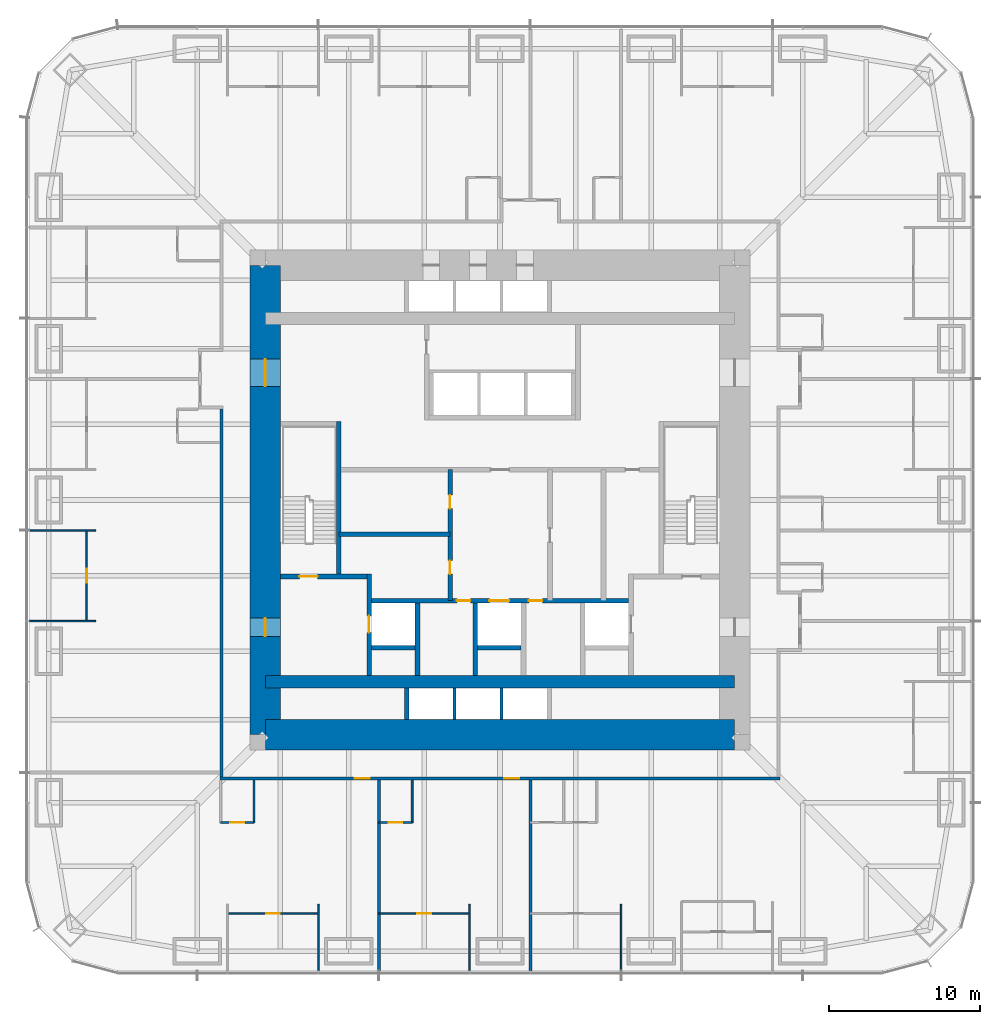
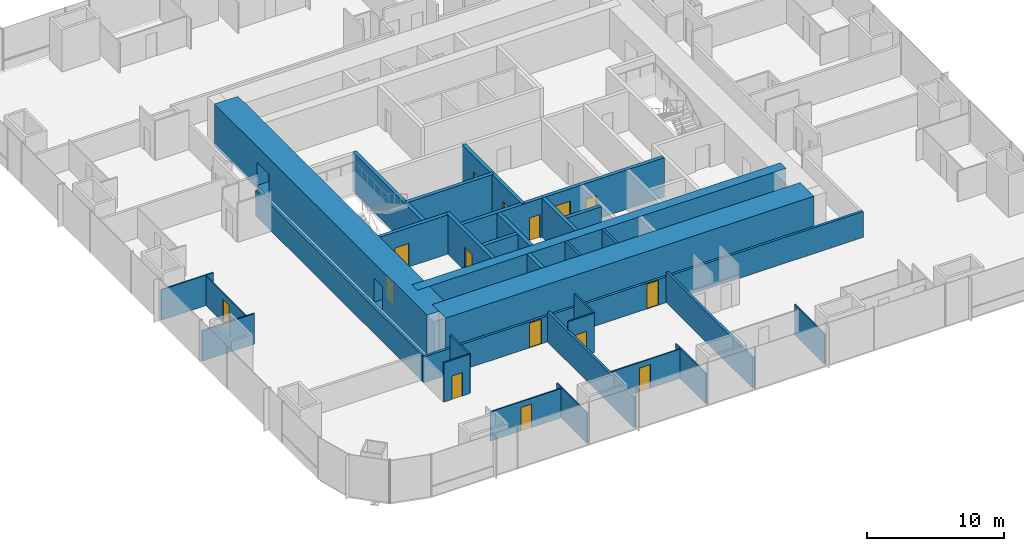
# One storey, part 12 of 16: 32 walls, 16 doors, 16 openings.
"""IFC4 building model written with IfcOpenShell, lengths in metres."""

from ifc_helpers import new_model, si_unit, direction, frame, frame_2d, origin, place, context, subcontext, project, spatial, rectangle, extrude, material, layer, layer_set, type_object, element, fill, save


model = new_model("IFC4")

# Units and contexts
model_context = context("Model", 3, precision=1e-05, world=origin(), true_north=direction((0.0, 1.0)))
body_context = subcontext(model_context, "Body", "Model", "MODEL_VIEW")
ifc_project = project(units=[si_unit("LENGTHUNIT", "METRE"), si_unit("AREAUNIT", "SQUARE_METRE"), si_unit("VOLUMEUNIT", "CUBIC_METRE"), si_unit("PLANEANGLEUNIT", "RADIAN"), si_unit("MASSUNIT", "GRAM", prefix="KILO")], contexts=[model_context])

# Site, building, storey
site_placement = place(None, origin())
site = spatial("IfcSite", under=ifc_project, at=site_placement, CompositionType="ELEMENT")
building_placement = place(site_placement, origin())
building = spatial("IfcBuilding", under=site, at=building_placement, Name="Khuree Lantern Residences", CompositionType="ELEMENT")
storey_placement = place(building_placement, frame((0.0, 0.0, 81.0)))
storey = spatial("IfcBuildingStorey", under=building, at=storey_placement, Name="L20", CompositionType="ELEMENT", Elevation=81.0)

# Wall, opening, door
ifc_material_1 = material(Name="Moisture-resistant gypsum board on steel studs", Category="steel")
ifc_layer_1 = layer(ifc_material_1, 0.125)
ifc_layer_set_1 = layer_set([ifc_layer_1], Name="BATHROOM WALL BTW125")
wall_type_1 = type_object("IfcWallType", Name="BATHROOM WALL BTW125", PredefinedType="PARTITIONING", material=ifc_layer_set_1)
wall_1_placement = place(storey_placement, frame((-18.449951171875, -21.300048828125, 0.0), z_axis=(0.0, 0.0, 1.0), x_axis=(1.0, 0.0, 0.0)))
wall_1 = element("IfcWall", 1, at=wall_1_placement, inside=storey, type_object=wall_type_1, Name="L20 BATHROOM WALL 08", PredefinedType="PARTITIONING", context=body_context, shape_type="SweptSolid", body=[
    extrude(rectangle(XDim=2.199951171875, YDim=0.125, at=frame_2d((1.10009765625, 0.0))), origin(), (0.0, 0.0, 1.0), 3.5),
])
opening_1_placement = place(wall_1_placement, frame((0.64990234375, 0.0, 0.0)))
opening_1 = element("IfcOpeningElement", 2, at=opening_1_placement, cuts=wall_1, Name="Opening 20-044", PredefinedType="OPENING", context=body_context, shape_type="SweptSolid", body=[
    extrude(rectangle(XDim=0.89990234375, YDim=2.10009765625, at=frame_2d((0.449951171875, 1.050048828125))), frame((0.0, 0.072509765625, 0.0), z_axis=(0.0, -1.0, 0.0), x_axis=(1.0, 0.0, 0.0)), (0.0, 0.0, 1.0), 0.14501953125),
])
ifc_material_2 = material(Name="Timber door leaf in hardwood frame", Category="wood")
door_type_1 = type_object("IfcDoorType", Name="BATHROOM DOOR 900X2100", OperationType="SINGLE_SWING_LEFT", PredefinedType="DOOR", material=ifc_material_2)
door_1_placement = place(opening_1_placement, origin())
door_1 = element("IfcDoor", 3, at=door_1_placement, inside=storey, type_object=door_type_1, Name="Bathroom door 20-044", OperationType="SINGLE_SWING_LEFT", OverallHeight=2.10009765625, OverallWidth=0.89990234375, PredefinedType="DOOR", context=body_context, shape_type="SweptSolid", body=[
    extrude(rectangle(XDim=0.89990234375, YDim=2.10009765625, at=frame_2d((0.449951171875, 1.050048828125))), frame((0.0, 0.02490234375, 0.0), z_axis=(0.0, -1.0, 0.0), x_axis=(1.0, 0.0, 0.0)), (0.0, 0.0, 1.0), 0.050048828125),
])
fill(opening_1, door_1)

# Wall
wall_2_placement = place(storey_placement, frame((-16.25, -18.5, 0.0), z_axis=(0.0, 0.0, 1.0), x_axis=(0.0, -1.0, 0.0)))
element("IfcWall", 4, at=wall_2_placement, inside=storey, type_object=wall_type_1, Name="L20 BATHROOM WALL 08", PredefinedType="PARTITIONING", context=body_context, shape_type="SweptSolid", body=[
    extrude(rectangle(XDim=2.800048828125, YDim=0.125, at=frame_2d((1.39990234375, 0.0))), origin(), (0.0, 0.0, 1.0), 3.5),
])

# Wall, opening, door
wall_3_placement = place(storey_placement, frame((-8.0, -21.300048828125, 0.0), z_axis=(0.0, 0.0, 1.0), x_axis=(1.0, 0.0, 0.0)))
wall_3 = element("IfcWall", 5, at=wall_3_placement, inside=storey, type_object=wall_type_1, Name="L20 BATHROOM WALL 09", PredefinedType="PARTITIONING", context=body_context, shape_type="SweptSolid", body=[
    extrude(rectangle(XDim=2.199951171875, YDim=0.125, at=frame_2d((1.10009765625, 0.0))), origin(), (0.0, 0.0, 1.0), 3.5),
])
opening_2_placement = place(wall_3_placement, frame((0.64990234375, 0.0, 0.0)))
opening_2 = element("IfcOpeningElement", 6, at=opening_2_placement, cuts=wall_3, Name="Opening 20-047", PredefinedType="OPENING", context=body_context, shape_type="SweptSolid", body=[
    extrude(rectangle(XDim=0.89990234375, YDim=2.10009765625, at=frame_2d((0.449951171875, 1.050048828125))), frame((0.0, 0.072509765625, 0.0), z_axis=(0.0, -1.0, 0.0), x_axis=(1.0, 0.0, 0.0)), (0.0, 0.0, 1.0), 0.14501953125),
])
door_2_placement = place(opening_2_placement, origin())
door_2 = element("IfcDoor", 7, at=door_2_placement, inside=storey, type_object=door_type_1, Name="Bathroom door 20-047", OperationType="SINGLE_SWING_LEFT", OverallHeight=2.10009765625, OverallWidth=0.89990234375, PredefinedType="DOOR", context=body_context, shape_type="SweptSolid", body=[
    extrude(rectangle(XDim=0.89990234375, YDim=2.10009765625, at=frame_2d((0.449951171875, 1.050048828125))), frame((0.0, 0.02490234375, 0.0), z_axis=(0.0, -1.0, 0.0), x_axis=(1.0, 0.0, 0.0)), (0.0, 0.0, 1.0), 0.050048828125),
])
fill(opening_2, door_2)

# Wall
wall_4_placement = place(storey_placement, frame((-5.800048828125, -18.5, 0.0), z_axis=(0.0, 0.0, 1.0), x_axis=(0.0, -1.0, 0.0)))
element("IfcWall", 8, at=wall_4_placement, inside=storey, type_object=wall_type_1, Name="L20 BATHROOM WALL 09", PredefinedType="PARTITIONING", context=body_context, shape_type="SweptSolid", body=[
    extrude(rectangle(XDim=2.800048828125, YDim=0.125, at=frame_2d((1.39990234375, 0.0))), origin(), (0.0, 0.0, 1.0), 3.5),
])

# Wall, opening, door
ifc_material_3 = material(Name="Dense concrete blockwork", Category="masonry")
ifc_layer_2 = layer(ifc_material_3, 0.300048828125)
ifc_layer_set_2 = layer_set([ifc_layer_2], Name="CORE PARTITION WALL CPW300 EI 120")
wall_type_2 = type_object("IfcWallType", Name="CORE PARTITION WALL CPW300 EI 120", PredefinedType="PARTITIONING", material=ifc_layer_set_2)
wall_5_placement = place(storey_placement, frame((-8.64990234375, -11.60009765625, 0.0), z_axis=(0.0, 0.0, 1.0), x_axis=(0.0, 1.0, 0.0)))
wall_5 = element("IfcWall", 9, at=wall_5_placement, inside=storey, type_object=wall_type_2, Name="L20 CORE WALL FL1W", PredefinedType="PARTITIONING", context=body_context, shape_type="SweptSolid", body=[
    extrude(rectangle(XDim=6.7001953125, YDim=0.300048828125, at=frame_2d((3.35009765625, 0.0))), origin(), (0.0, 0.0, 1.0), 3.5),
])
opening_3_placement = place(wall_5_placement, frame((2.85009765625, 0.0, 0.0)))
opening_3 = element("IfcOpeningElement", 10, at=opening_3_placement, cuts=wall_5, Name="Opening 20-007", PredefinedType="OPENING", context=body_context, shape_type="SweptSolid", body=[
    extrude(rectangle(XDim=1.10009765625, YDim=2.10009765625, at=frame_2d((0.550048828125, 1.050048828125))), frame((0.0, 0.16015625, 0.0), z_axis=(0.0, -1.0, 0.0), x_axis=(1.0, 0.0, 0.0)), (0.0, 0.0, 1.0), 0.320068359375),
])
ifc_material_4 = material(Name="Stainless steel lift landing door", Category="steel")
door_type_2 = type_object("IfcDoorType", Name="LIFT LANDING DOOR 1100X2100 E 120", OperationType="DOUBLE_DOOR_SLIDING", PredefinedType="DOOR", material=ifc_material_4)
door_3_placement = place(opening_3_placement, origin())
door_3 = element("IfcDoor", 11, at=door_3_placement, inside=storey, type_object=door_type_2, Name="Landing door FL1 20-007", OperationType="DOUBLE_DOOR_SLIDING", OverallHeight=2.10009765625, OverallWidth=1.10009765625, PredefinedType="DOOR", context=body_context, shape_type="SweptSolid", body=[
    extrude(rectangle(XDim=1.10009765625, YDim=2.10009765625, at=frame_2d((0.550048828125, 1.050048828125))), frame((0.0, 0.02490234375, 0.0), z_axis=(0.0, -1.0, 0.0), x_axis=(1.0, 0.0, 0.0)), (0.0, 0.0, 1.0), 0.050048828125),
])
fill(opening_3, door_3)

# Wall, openings, doors
wall_6_placement = place(storey_placement, frame((-8.5, -6.64990234375, 0.0), z_axis=(0.0, 0.0, 1.0), x_axis=(1.0, 0.0, 0.0)))
wall_6 = element("IfcWall", 12, at=wall_6_placement, inside=storey, type_object=wall_type_2, Name="L20 CORE WALL FLROW", PredefinedType="PARTITIONING", context=body_context, shape_type="SweptSolid", body=[
    extrude(rectangle(XDim=17.0, YDim=0.300048828125, at=frame_2d((8.5, 0.0))), origin(), (0.0, 0.0, 1.0), 3.5),
])
opening_4_placement = place(wall_6_placement, frame((7.800048828125, 0.0, 0.0)))
opening_4 = element("IfcOpeningElement", 13, at=opening_4_placement, cuts=wall_6, Name="Opening 20-012", PredefinedType="OPENING", context=body_context, shape_type="SweptSolid", body=[
    extrude(rectangle(XDim=1.300048828125, YDim=2.39990234375, at=frame_2d((0.64990234375, 1.199951171875))), frame((0.0, 0.16015625, 0.0), z_axis=(0.0, -1.0, 0.0), x_axis=(1.0, 0.0, 0.0)), (0.0, 0.0, 1.0), 0.320068359375),
])
opening_5_placement = place(wall_6_placement, frame((5.64990234375, 0.0, 0.0)))
opening_5 = element("IfcOpeningElement", 14, at=opening_5_placement, cuts=wall_6, Name="Opening 20-014", PredefinedType="OPENING", context=body_context, shape_type="SweptSolid", body=[
    extrude(rectangle(XDim=0.89990234375, YDim=2.10009765625, at=frame_2d((0.449951171875, 1.050048828125))), frame((0.0, 0.16015625, 0.0), z_axis=(0.0, -1.0, 0.0), x_axis=(1.0, 0.0, 0.0)), (0.0, 0.0, 1.0), 0.320068359375),
])
opening_6_placement = place(wall_6_placement, frame((10.39990234375, 0.0, 0.0)))
opening_6 = element("IfcOpeningElement", 15, at=opening_6_placement, cuts=wall_6, Name="Opening 20-015", PredefinedType="OPENING", context=body_context, shape_type="SweptSolid", body=[
    extrude(rectangle(XDim=0.89990234375, YDim=2.10009765625, at=frame_2d((0.449951171875, 1.050048828125))), frame((0.0, 0.16015625, 0.0), z_axis=(0.0, -1.0, 0.0), x_axis=(1.0, 0.0, 0.0)), (0.0, 0.0, 1.0), 0.320068359375),
])
ifc_material_5 = material(Name="Steel door leaf in steel frame", Category="steel")
door_type_3 = type_object("IfcDoorType", Name="DOOR 900X2100 EI 60", OperationType="SINGLE_SWING_LEFT", PredefinedType="DOOR", material=ifc_material_5)
door_4_placement = place(opening_5_placement, origin())
door_4 = element("IfcDoor", 16, at=door_4_placement, inside=storey, type_object=door_type_3, Name="Refuse chute room door 20-014", OperationType="SINGLE_SWING_LEFT", OverallHeight=2.10009765625, OverallWidth=0.89990234375, PredefinedType="DOOR", context=body_context, shape_type="SweptSolid", body=[
    extrude(rectangle(XDim=0.89990234375, YDim=2.10009765625, at=frame_2d((0.449951171875, 1.050048828125))), frame((0.0, 0.02490234375, 0.0), z_axis=(0.0, -1.0, 0.0), x_axis=(1.0, 0.0, 0.0)), (0.0, 0.0, 1.0), 0.050048828125),
])
fill(opening_5, door_4)
door_type_4 = type_object("IfcDoorType", Name="DOOR 900X2100 EI 60 RIGHT HAND", OperationType="SINGLE_SWING_RIGHT", PredefinedType="DOOR", material=ifc_material_5)
door_5_placement = place(opening_6_placement, origin())
door_5 = element("IfcDoor", 17, at=door_5_placement, inside=storey, type_object=door_type_4, Name="Electrical and plumbing riser door 20-015", OperationType="SINGLE_SWING_RIGHT", OverallHeight=2.10009765625, OverallWidth=0.89990234375, PredefinedType="DOOR", context=body_context, shape_type="SweptSolid", body=[
    extrude(rectangle(XDim=0.89990234375, YDim=2.10009765625, at=frame_2d((0.449951171875, 1.050048828125))), frame((0.0, 0.02490234375, 0.0), z_axis=(0.0, -1.0, 0.0), x_axis=(1.0, 0.0, 0.0)), (0.0, 0.0, 1.0), 0.050048828125),
])
fill(opening_6, door_5)
door_type_5 = type_object("IfcDoorType", Name="LIFT LANDING DOOR 1300X2400 E 60", OperationType="DOUBLE_DOOR_SLIDING", PredefinedType="DOOR", material=ifc_material_4)
door_6_placement = place(opening_4_placement, origin())
door_6 = element("IfcDoor", 18, at=door_6_placement, inside=storey, type_object=door_type_5, Name="Landing door SL1 20-012", OperationType="DOUBLE_DOOR_SLIDING", OverallHeight=2.39990234375, OverallWidth=1.300048828125, PredefinedType="DOOR", context=body_context, shape_type="SweptSolid", body=[
    extrude(rectangle(XDim=1.300048828125, YDim=2.39990234375, at=frame_2d((0.64990234375, 1.199951171875))), frame((0.0, 0.02490234375, 0.0), z_axis=(0.0, -1.0, 0.0), x_axis=(1.0, 0.0, 0.0)), (0.0, 0.0, 1.0), 0.050048828125),
])
fill(opening_4, door_6)

# Walls
for number, where, z_axis, x_axis, name in (
    (19, (-5.449951171875, -11.60009765625, 0.0), (0.0, 0.0, 1.0), (0.0, 1.0, 0.0), "L20 CORE WALL FL1E"),
    (20, (-1.64990234375, -11.60009765625, 0.0), (0.0, 0.0, 1.0), (0.0, 1.0, 0.0), "L20 CORE WALL SL1W"),
):
    element("IfcWall", number, at=place(storey_placement, frame(where, z_axis=z_axis, x_axis=x_axis)), inside=storey, type_object=wall_type_2, Name=name, PredefinedType="PARTITIONING", context=body_context, shape_type="SweptSolid", body=[
        extrude(rectangle(XDim=4.800048828125, YDim=0.300048828125, at=frame_2d((2.39990234375, 0.0))), origin(), (0.0, 0.0, 1.0), 3.5),
    ])
for number, where, z_axis, x_axis, name in (
    (21, (-8.5, -9.75, 0.0), (0.0, 0.0, 1.0), (1.0, 0.0, 0.0), "L20 CORE WALL FL1S"),
    (22, (-1.5, -9.75, 0.0), (0.0, 0.0, 1.0), (1.0, 0.0, 0.0), "L20 CORE WALL SL1S"),
):
    element("IfcWall", number, at=place(storey_placement, frame(where, z_axis=z_axis, x_axis=x_axis)), inside=storey, type_object=wall_type_2, Name=name, PredefinedType="PARTITIONING", context=body_context, shape_type="SweptSolid", body=[
        extrude(rectangle(XDim=2.89990234375, YDim=0.300048828125, at=frame_2d((1.449951171875, 0.0))), origin(), (0.0, 0.0, 1.0), 3.5),
    ])
wall_7_placement = place(storey_placement, frame((-6.14990234375, -14.5, 0.0), z_axis=(0.0, 0.0, 1.0), x_axis=(0.0, 1.0, 0.0)))
element("IfcWall", 23, at=wall_7_placement, inside=storey, type_object=wall_type_2, Name="L20 CORE WALL PMW", PredefinedType="PARTITIONING", context=body_context, shape_type="SweptSolid", body=[
    extrude(rectangle(XDim=2.10009765625, YDim=0.300048828125, at=frame_2d((1.050048828125, 0.0))), origin(), (0.0, 0.0, 1.0), 3.5),
])

# Wall, openings, doors
wall_8_placement = place(storey_placement, frame((-3.300048828125, -6.64990234375, 0.0), z_axis=(0.0, 0.0, 1.0), x_axis=(0.0, 1.0, 0.0)))
wall_8 = element("IfcWall", 24, at=wall_8_placement, inside=storey, type_object=wall_type_2, Name="L20 CORE WALL SVW", PredefinedType="PARTITIONING", context=body_context, shape_type="SweptSolid", body=[
    extrude(rectangle(XDim=8.64990234375, YDim=0.300048828125, at=frame_2d((4.324951171875, 0.0))), origin(), (0.0, 0.0, 1.0), 3.5),
])
opening_7_placement = place(wall_8_placement, frame((1.75, 0.0, 0.0)))
opening_7 = element("IfcOpeningElement", 25, at=opening_7_placement, cuts=wall_8, Name="Opening 20-016", PredefinedType="OPENING", context=body_context, shape_type="SweptSolid", body=[
    extrude(rectangle(XDim=0.89990234375, YDim=2.10009765625, at=frame_2d((0.449951171875, 1.050048828125))), frame((0.0, 0.16015625, 0.0), z_axis=(0.0, -1.0, 0.0), x_axis=(1.0, 0.0, 0.0)), (0.0, 0.0, 1.0), 0.320068359375),
])
opening_8_placement = place(wall_8_placement, frame((6.074951171875, 0.0, 0.0)))
opening_8 = element("IfcOpeningElement", 26, at=opening_8_placement, cuts=wall_8, Name="Opening 20-017", PredefinedType="OPENING", context=body_context, shape_type="SweptSolid", body=[
    extrude(rectangle(XDim=0.89990234375, YDim=2.10009765625, at=frame_2d((0.449951171875, 1.050048828125))), frame((0.0, 0.16015625, 0.0), z_axis=(0.0, -1.0, 0.0), x_axis=(1.0, 0.0, 0.0)), (0.0, 0.0, 1.0), 0.320068359375),
])
door_type_6 = type_object("IfcDoorType", Name="DOOR 900X2100", OperationType="SINGLE_SWING_LEFT", PredefinedType="DOOR", material=ifc_material_2)
door_7_placement = place(opening_7_placement, origin())
door_7 = element("IfcDoor", 27, at=door_7_placement, inside=storey, type_object=door_type_6, Name="Residents' store door 20-016", OperationType="SINGLE_SWING_LEFT", OverallHeight=2.10009765625, OverallWidth=0.89990234375, PredefinedType="DOOR", context=body_context, shape_type="SweptSolid", body=[
    extrude(rectangle(XDim=0.89990234375, YDim=2.10009765625, at=frame_2d((0.449951171875, 1.050048828125))), frame((0.0, 0.02490234375, 0.0), z_axis=(0.0, -1.0, 0.0), x_axis=(1.0, 0.0, 0.0)), (0.0, 0.0, 1.0), 0.050048828125),
])
fill(opening_7, door_7)
door_8_placement = place(opening_8_placement, origin())
door_8 = element("IfcDoor", 28, at=door_8_placement, inside=storey, type_object=door_type_6, Name="Residents' store door 20-017", OperationType="SINGLE_SWING_LEFT", OverallHeight=2.10009765625, OverallWidth=0.89990234375, PredefinedType="DOOR", context=body_context, shape_type="SweptSolid", body=[
    extrude(rectangle(XDim=0.89990234375, YDim=2.10009765625, at=frame_2d((0.449951171875, 1.050048828125))), frame((0.0, 0.02490234375, 0.0), z_axis=(0.0, -1.0, 0.0), x_axis=(1.0, 0.0, 0.0)), (0.0, 0.0, 1.0), 0.050048828125),
])
fill(opening_8, door_8)

# Walls
wall_9_placement = place(storey_placement, frame((-10.64990234375, -2.25, 0.0), z_axis=(0.0, 0.0, 1.0), x_axis=(1.0, 0.0, 0.0)))
element("IfcWall", 29, at=wall_9_placement, inside=storey, type_object=wall_type_2, Name="L20 CORE WALL WX", PredefinedType="PARTITIONING", context=body_context, shape_type="SweptSolid", body=[
    extrude(rectangle(XDim=7.349853515625, YDim=0.300048828125, at=frame_2d((3.6748046875, 0.0))), origin(), (0.0, 0.0, 1.0), 3.5),
])
ifc_material_6 = material(Name="Gypsum board on steel studs", Category="steel")
ifc_layer_3 = layer(ifc_material_6, 0.199951171875)
ifc_layer_set_3 = layer_set([ifc_layer_3], Name="CORRIDOR WALL CRW200 EI 60")
wall_type_3 = type_object("IfcWallType", Name="CORRIDOR WALL CRW200 EI 60", PredefinedType="PARTITIONING", material=ifc_layer_set_3)
wall_10_placement = place(storey_placement, frame((-18.39990234375, 6.0, 0.0), z_axis=(0.0, 0.0, 1.0), x_axis=(0.0, -1.0, 0.0)))
element("IfcWall", 30, at=wall_10_placement, inside=storey, type_object=wall_type_3, Name="L20 CORRIDOR WALL WEST 2", PredefinedType="PARTITIONING", context=body_context, shape_type="SweptSolid", body=[
    extrude(rectangle(XDim=24.300048828125, YDim=0.199951171875, at=frame_2d((12.14990234375, 0.0))), origin(), (0.0, 0.0, 1.0), 2.300048828125),
])

# Wall, openings, doors
wall_11_placement = place(storey_placement, frame((18.5, -18.39990234375, 0.0), z_axis=(0.0, 0.0, 1.0), x_axis=(-1.0, 0.0, 0.0)))
wall_11 = element("IfcWall", 31, at=wall_11_placement, inside=storey, type_object=wall_type_3, Name="L20 CORRIDOR WALL SOUTH 1", PredefinedType="PARTITIONING", context=body_context, shape_type="SweptSolid", body=[
    extrude(rectangle(XDim=37.0, YDim=0.199951171875, at=frame_2d((18.5, 0.0))), origin(), (0.0, 0.0, 1.0), 2.300048828125),
])
opening_9_placement = place(wall_11_placement, frame((27.10009765625, 0.0, 0.0)))
opening_9 = element("IfcOpeningElement", 32, at=opening_9_placement, cuts=wall_11, Name="Opening 20-045", PredefinedType="OPENING", context=body_context, shape_type="SweptSolid", body=[
    extrude(rectangle(XDim=1.0, YDim=2.199951171875, at=frame_2d((0.5, 1.10009765625))), frame((0.0, 0.10986328125, 0.0), z_axis=(0.0, -1.0, 0.0), x_axis=(1.0, 0.0, 0.0)), (0.0, 0.0, 1.0), 0.219970703125),
])
opening_10_placement = place(wall_11_placement, frame((17.22998046875, 0.0, 0.0)))
opening_10 = element("IfcOpeningElement", 33, at=opening_10_placement, cuts=wall_11, Name="Opening 20-048", PredefinedType="OPENING", context=body_context, shape_type="SweptSolid", body=[
    extrude(rectangle(XDim=1.0, YDim=2.199951171875, at=frame_2d((0.5, 1.10009765625))), frame((0.0, 0.10986328125, 0.0), z_axis=(0.0, -1.0, 0.0), x_axis=(1.0, 0.0, 0.0)), (0.0, 0.0, 1.0), 0.219970703125),
])
door_type_7 = type_object("IfcDoorType", Name="APARTMENT ENTRANCE DOOR 1000X2200 EI 30S", OperationType="SINGLE_SWING_LEFT", PredefinedType="DOOR", material=ifc_material_2)
door_9_placement = place(opening_9_placement, origin())
door_9 = element("IfcDoor", 34, at=door_9_placement, inside=storey, type_object=door_type_7, Name="Apartment 08 entrance door 20-045", OperationType="SINGLE_SWING_LEFT", OverallHeight=2.199951171875, OverallWidth=1.0, PredefinedType="DOOR", context=body_context, shape_type="SweptSolid", body=[
    extrude(rectangle(XDim=1.0, YDim=2.199951171875, at=frame_2d((0.5, 1.10009765625))), frame((0.0, 0.02490234375, 0.0), z_axis=(0.0, -1.0, 0.0), x_axis=(1.0, 0.0, 0.0)), (0.0, 0.0, 1.0), 0.050048828125),
])
fill(opening_9, door_9)
door_10_placement = place(opening_10_placement, origin())
door_10 = element("IfcDoor", 35, at=door_10_placement, inside=storey, type_object=door_type_7, Name="Apartment 09 entrance door 20-048", OperationType="SINGLE_SWING_LEFT", OverallHeight=2.199951171875, OverallWidth=1.0, PredefinedType="DOOR", context=body_context, shape_type="SweptSolid", body=[
    extrude(rectangle(XDim=1.0, YDim=2.199951171875, at=frame_2d((0.5, 1.10009765625))), frame((0.0, 0.02490234375, 0.0), z_axis=(0.0, -1.0, 0.0), x_axis=(1.0, 0.0, 0.0)), (0.0, 0.0, 1.0), 0.050048828125),
])
fill(opening_10, door_10)

# Wall
ifc_material_7 = material(Name="Concrete C70/85", Category="concrete")
ifc_layer_4 = layer(ifc_material_7, 2.0)
ifc_layer_set_4 = layer_set([ifc_layer_4], Name="CW2000-C70 CORE WALL C70 2000")
wall_type_4 = type_object("IfcWallType", Name="CW2000-C70 CORE WALL C70 2000", PredefinedType="SHEAR", material=ifc_layer_set_4)
wall_12_placement = place(storey_placement, frame((-15.5, -15.5, -0.25), z_axis=(0.0, 0.0, 1.0), x_axis=(1.0, 0.0, 0.0)))
element("IfcWall", 36, at=wall_12_placement, inside=storey, type_object=wall_type_4, Name="Core wall S", PredefinedType="SHEAR", context=body_context, shape_type="SweptSolid", body=[
    extrude(rectangle(XDim=31.0, YDim=2.0, at=frame_2d((15.5, 0.0))), origin(), (0.0, 0.0, 1.0), 3.75),
])

# Wall, openings, doors
wall_13_placement = place(storey_placement, frame((-15.5, -15.5, -0.25), z_axis=(0.0, 0.0, 1.0), x_axis=(0.0, 1.0, 0.0)))
wall_13 = element("IfcWall", 37, at=wall_13_placement, inside=storey, type_object=wall_type_4, Name="Core wall W", PredefinedType="SHEAR", context=body_context, shape_type="SweptSolid", body=[
    extrude(rectangle(XDim=31.0, YDim=2.0, at=frame_2d((15.5, 0.0))), origin(), (0.0, 0.0, 1.0), 3.75),
])
opening_11_placement = place(wall_13_placement, frame((6.5, 0.0, 0.25)))
opening_11 = element("IfcOpeningElement", 38, at=opening_11_placement, cuts=wall_13, Name="Opening 20-002", PredefinedType="OPENING", context=body_context, shape_type="SweptSolid", body=[
    extrude(rectangle(XDim=1.199951171875, YDim=2.10009765625, at=frame_2d((0.60009765625, 1.050048828125))), frame((0.0, 1.010009765625, 0.0), z_axis=(0.0, -1.0, 0.0), x_axis=(1.0, 0.0, 0.0)), (0.0, 0.0, 1.0), 2.02001953125),
])
opening_12_placement = place(wall_13_placement, frame((23.0, 0.0, 0.25)))
opening_12 = element("IfcOpeningElement", 39, at=opening_12_placement, cuts=wall_13, Name="Opening 20-003", PredefinedType="OPENING", context=body_context, shape_type="SweptSolid", body=[
    extrude(rectangle(XDim=1.800048828125, YDim=2.10009765625, at=frame_2d((0.89990234375, 1.050048828125))), frame((0.0, 1.010009765625, 0.0), z_axis=(0.0, -1.0, 0.0), x_axis=(1.0, 0.0, 0.0)), (0.0, 0.0, 1.0), 2.02001953125),
])
door_type_8 = type_object("IfcDoorType", Name="LOBBY DOOR 1200X2100 EI 120", OperationType="SINGLE_SWING_LEFT", PredefinedType="DOOR", material=ifc_material_5)
door_11_placement = place(opening_11_placement, origin())
door_11 = element("IfcDoor", 40, at=door_11_placement, inside=storey, type_object=door_type_8, Name="Firefighting lobby door 20-002", OperationType="SINGLE_SWING_LEFT", OverallHeight=2.10009765625, OverallWidth=1.199951171875, PredefinedType="DOOR", context=body_context, shape_type="SweptSolid", body=[
    extrude(rectangle(XDim=1.199951171875, YDim=2.10009765625, at=frame_2d((0.60009765625, 1.050048828125))), frame((0.0, 0.02490234375, 0.0), z_axis=(0.0, -1.0, 0.0), x_axis=(1.0, 0.0, 0.0)), (0.0, 0.0, 1.0), 0.050048828125),
])
fill(opening_11, door_11)
door_type_9 = type_object("IfcDoorType", Name="LOBBY DOUBLE DOOR 1800X2100 EI 60", OperationType="DOUBLE_DOOR_SINGLE_SWING", PredefinedType="DOOR", material=ifc_material_5)
door_12_placement = place(opening_12_placement, origin())
door_12 = element("IfcDoor", 41, at=door_12_placement, inside=storey, type_object=door_type_9, Name="Lift lobby door 20-003", OperationType="DOUBLE_DOOR_SINGLE_SWING", OverallHeight=2.10009765625, OverallWidth=1.800048828125, PredefinedType="DOOR", context=body_context, shape_type="SweptSolid", body=[
    extrude(rectangle(XDim=1.800048828125, YDim=2.10009765625, at=frame_2d((0.89990234375, 1.050048828125))), frame((0.0, 0.02490234375, 0.0), z_axis=(0.0, -1.0, 0.0), x_axis=(1.0, 0.0, 0.0)), (0.0, 0.0, 1.0), 0.050048828125),
])
fill(opening_12, door_12)

# Walls
ifc_layer_5 = layer(ifc_material_6, 0.199951171875)
ifc_layer_set_5 = layer_set([ifc_layer_5], Name="DEMISING WALL DMW200 EI 90")
wall_type_5 = type_object("IfcWallType", Name="DEMISING WALL DMW200 EI 90", PredefinedType="PARTITIONING", material=ifc_layer_set_5)
for number, where, z_axis, x_axis, name in (
    (42, (-8.0, -18.5, 0.0), (0.0, 0.0, 1.0), (0.0, -1.0, 0.0), "L20 DEMISING WALL 09"),
    (43, (2.0, -18.5, 0.0), (0.0, 0.0, 1.0), (0.0, -1.0, 0.0), "L20 DEMISING WALL 10"),
):
    element("IfcWall", number, at=place(storey_placement, frame(where, z_axis=z_axis, x_axis=x_axis)), inside=storey, type_object=wall_type_5, Name=name, PredefinedType="PARTITIONING", context=body_context, shape_type="SweptSolid", body=[
        extrude(rectangle(XDim=12.60009765625, YDim=0.199951171875, at=frame_2d((6.300048828125, 0.0))), origin(), (0.0, 0.0, 1.0), 2.7099609375),
    ])
ifc_layer_6 = layer(ifc_material_6, 0.10009765625)
ifc_layer_set_6 = layer_set([ifc_layer_6], Name="PARTITION PT100")
wall_type_6 = type_object("IfcWallType", Name="PARTITION PT100", PredefinedType="PARTITIONING", material=ifc_layer_set_6)
for number, where, z_axis, x_axis, name in (
    (44, (-26.699951171875, -2.0, 0.0), (0.0, 0.0, 1.0), (-1.0, 0.0, 0.0), "L20 PARTITION 07"),
    (45, (-26.699951171875, -8.0, 0.0), (0.0, 0.0, 1.0), (-1.0, 0.0, 0.0), "L20 PARTITION 07"),
    (46, (-12.0, -26.699951171875, 0.0), (0.0, 0.0, 1.0), (0.0, -1.0, 0.0), "L20 PARTITION 08"),
    (47, (-2.0, -26.699951171875, 0.0), (0.0, 0.0, 1.0), (0.0, -1.0, 0.0), "L20 PARTITION 09"),
    (48, (8.0, -26.699951171875, 0.0), (0.0, 0.0, 1.0), (0.0, -1.0, 0.0), "L20 PARTITION 10"),
):
    element("IfcWall", number, at=place(storey_placement, frame(where, z_axis=z_axis, x_axis=x_axis)), inside=storey, type_object=wall_type_6, Name=name, PredefinedType="PARTITIONING", context=body_context, shape_type="SweptSolid", body=[
        extrude(rectangle(XDim=4.400146484375, YDim=0.10009765625, at=frame_2d((2.2001953125, 0.0))), origin(), (0.0, 0.0, 1.0), 2.7099609375),
    ])

# Wall, opening, door
wall_14_placement = place(storey_placement, frame((-27.300048828125, -2.0, 0.0), z_axis=(0.0, 0.0, 1.0), x_axis=(0.0, -1.0, 0.0)))
wall_14 = element("IfcWall", 49, at=wall_14_placement, inside=storey, type_object=wall_type_6, Name="L20 PARTITION 07", PredefinedType="PARTITIONING", context=body_context, shape_type="SweptSolid", body=[
    extrude(rectangle(XDim=6.0, YDim=0.10009765625, at=frame_2d((3.0, 0.0))), origin(), (0.0, 0.0, 1.0), 2.610107421875),
])
opening_13_placement = place(wall_14_placement, frame((2.550048828125, 0.0, 0.0)))
opening_13 = element("IfcOpeningElement", 50, at=opening_13_placement, cuts=wall_14, Name="Opening 20-040", PredefinedType="OPENING", context=body_context, shape_type="SweptSolid", body=[
    extrude(rectangle(XDim=0.89990234375, YDim=2.10009765625, at=frame_2d((0.449951171875, 1.050048828125))), frame((0.0, 0.06005859375, 0.0), z_axis=(0.0, -1.0, 0.0), x_axis=(1.0, 0.0, 0.0)), (0.0, 0.0, 1.0), 0.1201171875),
])
door_type_10 = type_object("IfcDoorType", Name="BEDROOM DOOR 900X2100", OperationType="SINGLE_SWING_LEFT", PredefinedType="DOOR", material=ifc_material_2)
door_13_placement = place(opening_13_placement, origin())
door_13 = element("IfcDoor", 51, at=door_13_placement, inside=storey, type_object=door_type_10, Name="Bedroom door 20-040", OperationType="SINGLE_SWING_LEFT", OverallHeight=2.10009765625, OverallWidth=0.89990234375, PredefinedType="DOOR", context=body_context, shape_type="SweptSolid", body=[
    extrude(rectangle(XDim=0.89990234375, YDim=2.10009765625, at=frame_2d((0.449951171875, 1.050048828125))), frame((0.0, 0.02490234375, 0.0), z_axis=(0.0, -1.0, 0.0), x_axis=(1.0, 0.0, 0.0)), (0.0, 0.0, 1.0), 0.050048828125),
])
fill(opening_13, door_13)

wall_15_placement = place(storey_placement, frame((-18.0, -27.300048828125, 0.0), z_axis=(0.0, 0.0, 1.0), x_axis=(1.0, 0.0, 0.0)))
wall_15 = element("IfcWall", 52, at=wall_15_placement, inside=storey, type_object=wall_type_6, Name="L20 PARTITION 08", PredefinedType="PARTITIONING", context=body_context, shape_type="SweptSolid", body=[
    extrude(rectangle(XDim=6.0, YDim=0.10009765625, at=frame_2d((3.0, 0.0))), origin(), (0.0, 0.0, 1.0), 2.610107421875),
])
opening_14_placement = place(wall_15_placement, frame((2.550048828125, 0.0, 0.0)))
opening_14 = element("IfcOpeningElement", 53, at=opening_14_placement, cuts=wall_15, Name="Opening 20-043", PredefinedType="OPENING", context=body_context, shape_type="SweptSolid", body=[
    extrude(rectangle(XDim=0.89990234375, YDim=2.10009765625, at=frame_2d((0.449951171875, 1.050048828125))), frame((0.0, 0.06005859375, 0.0), z_axis=(0.0, -1.0, 0.0), x_axis=(1.0, 0.0, 0.0)), (0.0, 0.0, 1.0), 0.1201171875),
])
door_14_placement = place(opening_14_placement, origin())
door_14 = element("IfcDoor", 54, at=door_14_placement, inside=storey, type_object=door_type_10, Name="Bedroom door 20-043", OperationType="SINGLE_SWING_LEFT", OverallHeight=2.10009765625, OverallWidth=0.89990234375, PredefinedType="DOOR", context=body_context, shape_type="SweptSolid", body=[
    extrude(rectangle(XDim=0.89990234375, YDim=2.10009765625, at=frame_2d((0.449951171875, 1.050048828125))), frame((0.0, 0.02490234375, 0.0), z_axis=(0.0, -1.0, 0.0), x_axis=(1.0, 0.0, 0.0)), (0.0, 0.0, 1.0), 0.050048828125),
])
fill(opening_14, door_14)

wall_16_placement = place(storey_placement, frame((-8.0, -27.300048828125, 0.0), z_axis=(0.0, 0.0, 1.0), x_axis=(1.0, 0.0, 0.0)))
wall_16 = element("IfcWall", 55, at=wall_16_placement, inside=storey, type_object=wall_type_6, Name="L20 PARTITION 09", PredefinedType="PARTITIONING", context=body_context, shape_type="SweptSolid", body=[
    extrude(rectangle(XDim=6.0, YDim=0.10009765625, at=frame_2d((3.0, 0.0))), origin(), (0.0, 0.0, 1.0), 2.610107421875),
])
opening_15_placement = place(wall_16_placement, frame((2.550048828125, 0.0, 0.0)))
opening_15 = element("IfcOpeningElement", 56, at=opening_15_placement, cuts=wall_16, Name="Opening 20-046", PredefinedType="OPENING", context=body_context, shape_type="SweptSolid", body=[
    extrude(rectangle(XDim=0.89990234375, YDim=2.10009765625, at=frame_2d((0.449951171875, 1.050048828125))), frame((0.0, 0.06005859375, 0.0), z_axis=(0.0, -1.0, 0.0), x_axis=(1.0, 0.0, 0.0)), (0.0, 0.0, 1.0), 0.1201171875),
])
door_15_placement = place(opening_15_placement, origin())
door_15 = element("IfcDoor", 57, at=door_15_placement, inside=storey, type_object=door_type_10, Name="Bedroom door 20-046", OperationType="SINGLE_SWING_LEFT", OverallHeight=2.10009765625, OverallWidth=0.89990234375, PredefinedType="DOOR", context=body_context, shape_type="SweptSolid", body=[
    extrude(rectangle(XDim=0.89990234375, YDim=2.10009765625, at=frame_2d((0.449951171875, 1.050048828125))), frame((0.0, 0.02490234375, 0.0), z_axis=(0.0, -1.0, 0.0), x_axis=(1.0, 0.0, 0.0)), (0.0, 0.0, 1.0), 0.050048828125),
])
fill(opening_15, door_15)

# Walls
ifc_layer_7 = layer(ifc_material_3, 0.199951171875)
ifc_layer_set_7 = layer_set([ifc_layer_7], Name="SHAFT WALL SHW200 EI 120")
wall_type_7 = type_object("IfcWallType", Name="SHAFT WALL SHW200 EI 120", PredefinedType="PARTITIONING", material=ifc_layer_set_7)
for number, where, z_axis, x_axis, name in (
    (58, (-3.0, -14.5, 0.0), (0.0, 0.0, 1.0), (0.0, 1.0, 0.0), "L20 CORE WALL PMD1"),
    (59, (0.10009765625, -14.5, 0.0), (0.0, 0.0, 1.0), (0.0, 1.0, 0.0), "L20 CORE WALL PMD2"),
):
    element("IfcWall", number, at=place(storey_placement, frame(where, z_axis=z_axis, x_axis=x_axis)), inside=storey, type_object=wall_type_7, Name=name, PredefinedType="PARTITIONING", context=body_context, shape_type="SweptSolid", body=[
        extrude(rectangle(XDim=2.10009765625, YDim=0.199951171875, at=frame_2d((1.050048828125, 0.0))), origin(), (0.0, 0.0, 1.0), 3.5),
    ])
ifc_layer_8 = layer(ifc_material_7, 0.800048828125)
ifc_layer_set_8 = layer_set([ifc_layer_8], Name="SP800-C70 CORE SPINE WALL C70 800")
wall_type_8 = type_object("IfcWallType", Name="SP800-C70 CORE SPINE WALL C70 800", PredefinedType="SHEAR", material=ifc_layer_set_8)
wall_17_placement = place(storey_placement, frame((-15.5, -12.0, -0.25), z_axis=(0.0, 0.0, 1.0), x_axis=(1.0, 0.0, 0.0)))
element("IfcWall", 60, at=wall_17_placement, inside=storey, type_object=wall_type_8, Name="Core wall SPS", PredefinedType="SHEAR", context=body_context, shape_type="SweptSolid", body=[
    extrude(rectangle(XDim=31.0, YDim=0.800048828125, at=frame_2d((15.5, 0.0))), origin(), (0.0, 0.0, 1.0), 3.75),
])
ifc_material_8 = material(Name="Concrete C50/60", Category="concrete")
ifc_layer_9 = layer(ifc_material_8, 0.300048828125)
ifc_layer_set_9 = layer_set([ifc_layer_9], Name="STAIR WALL SRW300 C50/60 REI 240")
wall_type_9 = type_object("IfcWallType", Name="STAIR WALL SRW300 C50/60 REI 240", PredefinedType="SOLIDWALL", material=ifc_layer_set_9)
wall_18_placement = place(storey_placement, frame((-10.64990234375, -4.89990234375, 0.0), z_axis=(0.0, 0.0, 1.0), x_axis=(0.0, 1.0, 0.0)))
element("IfcWall", 61, at=wall_18_placement, inside=storey, type_object=wall_type_9, Name="L20 STAIR WALL ST1E", PredefinedType="SOLIDWALL", context=body_context, shape_type="SweptSolid", body=[
    extrude(rectangle(XDim=10.099853515625, YDim=0.300048828125, at=frame_2d((5.0498046875, 0.0))), origin(), (0.0, 0.0, 1.0), 3.5),
])

# Wall, opening, door
wall_19_placement = place(storey_placement, frame((-14.5, -5.050048828125, 0.0), z_axis=(0.0, 0.0, 1.0), x_axis=(1.0, 0.0, 0.0)))
wall_19 = element("IfcWall", 62, at=wall_19_placement, inside=storey, type_object=wall_type_9, Name="L20 STAIR WALL ST1S", PredefinedType="SOLIDWALL", context=body_context, shape_type="SweptSolid", body=[
    extrude(rectangle(XDim=5.699951171875, YDim=0.300048828125, at=frame_2d((2.85009765625, 0.0))), origin(), (0.0, 0.0, 1.0), 3.5),
])
opening_16_placement = place(wall_19_placement, frame((1.25, 0.0, 0.0)))
opening_16 = element("IfcOpeningElement", 63, at=opening_16_placement, cuts=wall_19, Name="Opening 20-001", PredefinedType="OPENING", context=body_context, shape_type="SweptSolid", body=[
    extrude(rectangle(XDim=1.199951171875, YDim=2.10009765625, at=frame_2d((0.60009765625, 1.050048828125))), frame((0.0, 0.16015625, 0.0), z_axis=(0.0, -1.0, 0.0), x_axis=(1.0, 0.0, 0.0)), (0.0, 0.0, 1.0), 0.320068359375),
])
door_type_11 = type_object("IfcDoorType", Name="STAIR DOOR 1200X2100 EI 120", OperationType="SINGLE_SWING_LEFT", PredefinedType="DOOR", material=ifc_material_5)
door_16_placement = place(opening_16_placement, origin())
door_16 = element("IfcDoor", 64, at=door_16_placement, inside=storey, type_object=door_type_11, Name="Stair ST1 door 20-001", OperationType="SINGLE_SWING_LEFT", OverallHeight=2.10009765625, OverallWidth=1.199951171875, PredefinedType="DOOR", context=body_context, shape_type="SweptSolid", body=[
    extrude(rectangle(XDim=1.199951171875, YDim=2.10009765625, at=frame_2d((0.60009765625, 1.050048828125))), frame((0.0, 0.02490234375, 0.0), z_axis=(0.0, -1.0, 0.0), x_axis=(1.0, 0.0, 0.0)), (0.0, 0.0, 1.0), 0.050048828125),
])
fill(opening_16, door_16)

save(model, "model.ifc")
